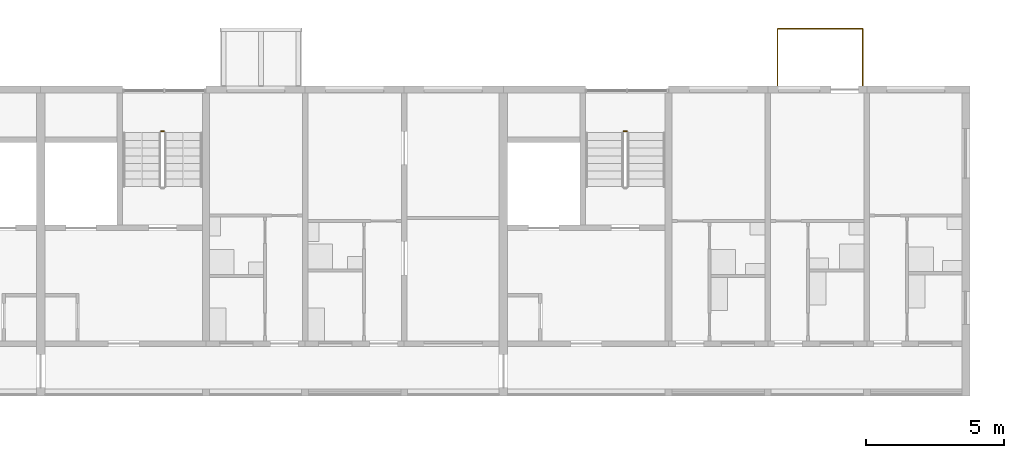
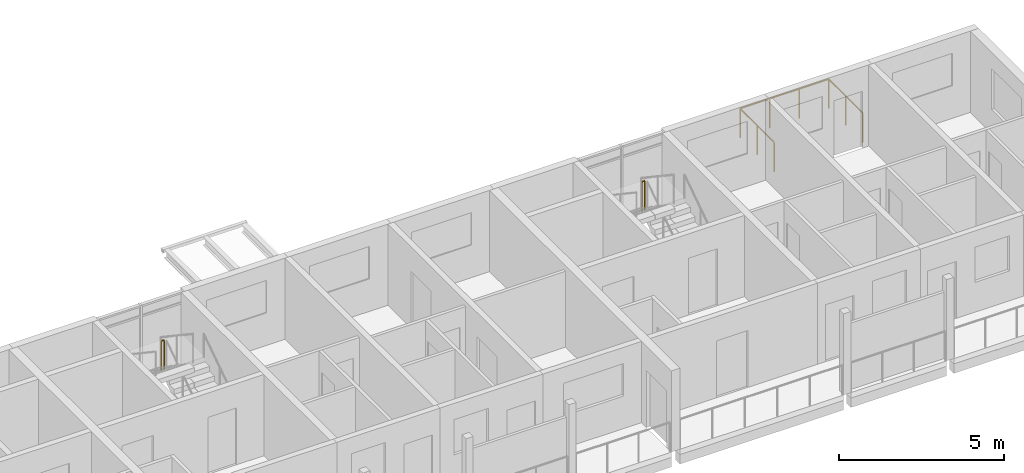
# One storey, part 85 of 100: 3 railings.
"""IFC4 building model written with IfcOpenShell, lengths in metres."""

from ifc_helpers import new_model, si_unit, direction, frame, origin, origin_2d, place, context, subcontext, project, spatial, circle, extrude, material, type_object, element, save


model = new_model("IFC4")

# Units and contexts
model_context = context("Model", 3, precision=1e-05, world=origin(), true_north=direction((0.0, 1.0)))
body_context = subcontext(model_context, "Body", "Model", "MODEL_VIEW")
ifc_project = project(units=[si_unit("LENGTHUNIT", "METRE"), si_unit("AREAUNIT", "SQUARE_METRE"), si_unit("VOLUMEUNIT", "CUBIC_METRE"), si_unit("PLANEANGLEUNIT", "RADIAN"), si_unit("MASSUNIT", "GRAM", prefix="KILO")], contexts=[model_context])

# Site, building, storey
site_placement = place(None, origin())
site = spatial("IfcSite", under=ifc_project, at=site_placement, CompositionType="ELEMENT")
building_placement = place(site_placement, origin())
building = spatial("IfcBuilding", under=site, at=building_placement, Name="Ridgestep Commons", CompositionType="ELEMENT")
storey_placement = place(building_placement, frame((0.0, 0.0, 9.0)))
storey = spatial("IfcBuildingStorey", under=building, at=storey_placement, Name="L03", CompositionType="ELEMENT", Elevation=9.0)

# Railings
ifc_material_1 = material(Name="Structural steel S355JR", Category="steel")
railing_type_1 = type_object("IfcRailingType", Name="Stair guard 1100", PredefinedType="GUARDRAIL", material=ifc_material_1)
for number, where, name in (
    (1, (83.675048828125, 75.610107421875, 1.5), "L03 B5C stair guard 2"),
    (2, (100.47509765625, 75.610107421875, 1.5), "L03 B6C stair guard 2"),
):
    element("IfcRailing", number, at=place(storey_placement, frame(where)), inside=storey, type_object=railing_type_1, Name=name, PredefinedType="GUARDRAIL", context=body_context, shape_type="SweptSolid", body=[
        extrude(circle(Radius=0.02392578125, at=origin_2d()), frame((0.0, 0.0, 1.076171875), z_axis=(-1.0, 0.0, 0.0), x_axis=(0.0, -1.0, 0.0)), (0.0, 0.0, 1.0), 0.10009765625),
        extrude(circle(Radius=0.02099609375, at=origin_2d()), origin(), (0.0, 0.0, 1.0), 1.052001953125),
        extrude(circle(Radius=0.02099609375, at=origin_2d()), frame((-0.10009765625, 0.0, 0.0)), (0.0, 0.0, 1.0), 1.052001953125),
    ])
ifc_material_2 = material(Name="Weathering steel S355J2W", Category="steel")
railing_type_2 = type_object("IfcRailingType", Name="Tray guard 1100", PredefinedType="GUARDRAIL", material=ifc_material_2)
railing_placement = place(storey_placement, frame((105.950927734375, 77.27099609375, 0.0)))
element("IfcRailing", 3, at=railing_placement, inside=storey, type_object=railing_type_2, Name="Tray guard B6T2-03", PredefinedType="GUARDRAIL", context=body_context, shape_type="SweptSolid", body=[
    extrude(circle(Radius=0.02392578125, at=origin_2d()), frame((0.0, 0.0, 1.076171875), z_axis=(0.0, 1.0, 0.0), x_axis=(-1.0, 0.0, 0.0)), (0.0, 0.0, 1.0), 2.05810546875),
    extrude(circle(Radius=0.02392578125, at=origin_2d()), frame((0.0, 2.05810546875, 1.076171875), z_axis=(1.0, 0.0, 0.0), x_axis=(0.0, 1.0, 0.0)), (0.0, 0.0, 1.0), 3.09814453125),
    extrude(circle(Radius=0.02392578125, at=origin_2d()), frame((3.09814453125, 2.05810546875, 1.076171875), z_axis=(0.0, -1.0, 0.0), x_axis=(1.0, 0.0, 0.0)), (0.0, 0.0, 1.0), 2.05810546875),
    extrude(circle(Radius=0.02099609375, at=origin_2d()), origin(), (0.0, 0.0, 1.0), 1.052001953125),
    extrude(circle(Radius=0.02099609375, at=origin_2d()), frame((0.0, 1.029052734375, 0.0)), (0.0, 0.0, 1.0), 1.052001953125),
    extrude(circle(Radius=0.02099609375, at=origin_2d()), frame((0.0, 2.05810546875, 0.0)), (0.0, 0.0, 1.0), 1.052001953125),
    extrude(circle(Radius=0.02099609375, at=origin_2d()), frame((1.03271484375, 2.05810546875, 0.0)), (0.0, 0.0, 1.0), 1.052001953125),
    extrude(circle(Radius=0.02099609375, at=origin_2d()), frame((2.0654296875, 2.05810546875, 0.0)), (0.0, 0.0, 1.0), 1.052001953125),
    extrude(circle(Radius=0.02099609375, at=origin_2d()), frame((3.09814453125, 2.05810546875, 0.0)), (0.0, 0.0, 1.0), 1.052001953125),
    extrude(circle(Radius=0.02099609375, at=origin_2d()), frame((3.09814453125, 1.029052734375, 0.0)), (0.0, 0.0, 1.0), 1.052001953125),
    extrude(circle(Radius=0.02099609375, at=origin_2d()), frame((3.09814453125, 0.0, 0.0)), (0.0, 0.0, 1.0), 1.052001953125),
])

save(model, "model.ifc")
